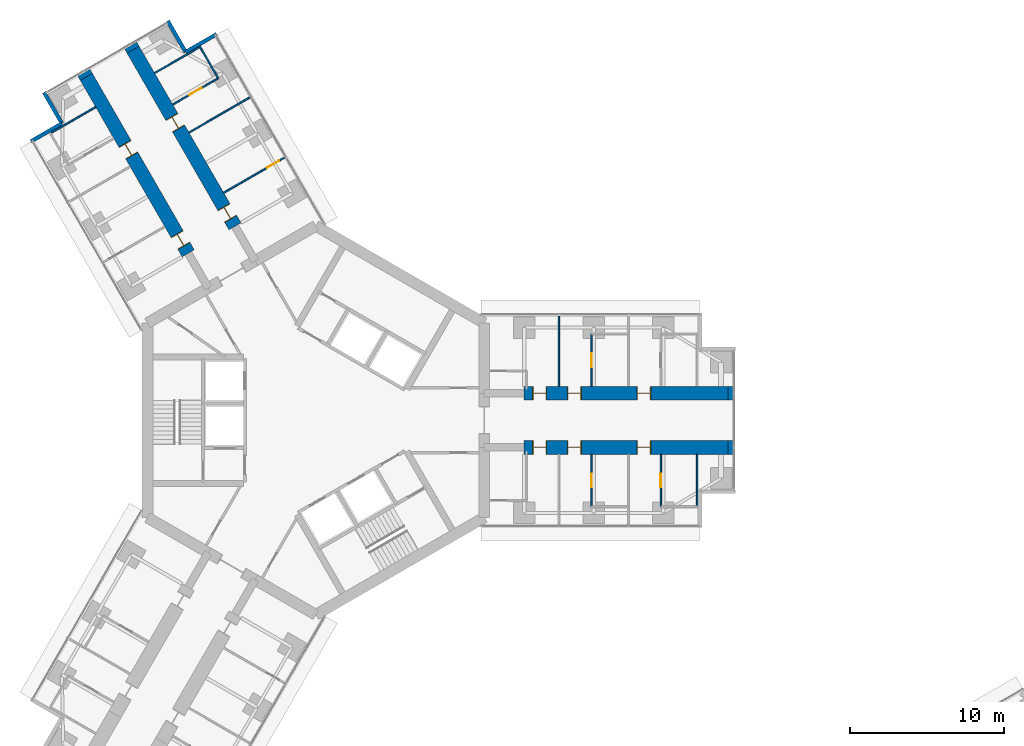
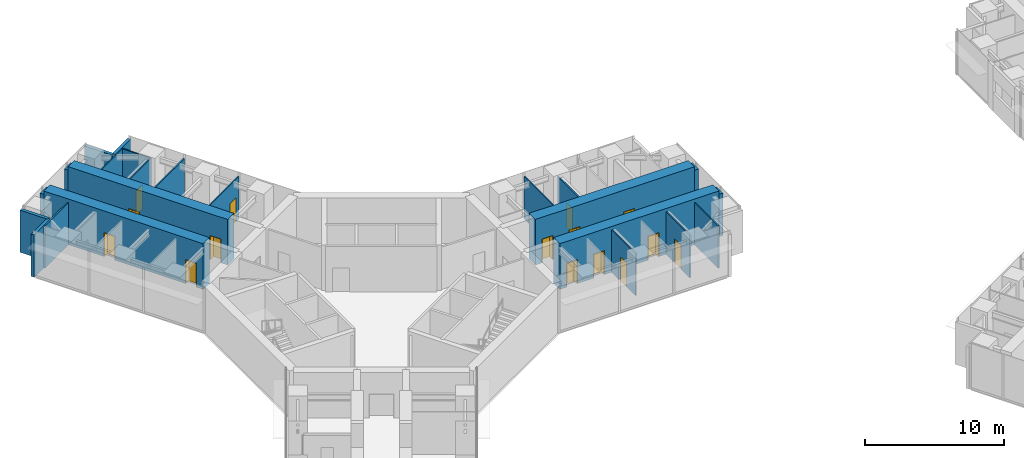
# One storey, part 19 of 25: 23 walls, 15 doors, 15 openings.
"""IFC4 building model written with IfcOpenShell, lengths in metres."""

from ifc_helpers import new_model, si_unit, direction, frame, frame_2d, origin, place, context, subcontext, project, spatial, rectangle, extrude, material, layer, layer_set, type_object, element, fill, save


model = new_model("IFC4")

# Units and contexts
model_context = context("Model", 3, precision=1e-05, world=origin(), true_north=direction((0.0, 1.0)))
body_context = subcontext(model_context, "Body", "Model", "MODEL_VIEW")
ifc_project = project(units=[si_unit("LENGTHUNIT", "METRE"), si_unit("AREAUNIT", "SQUARE_METRE"), si_unit("VOLUMEUNIT", "CUBIC_METRE"), si_unit("PLANEANGLEUNIT", "RADIAN"), si_unit("MASSUNIT", "GRAM", prefix="KILO")], contexts=[model_context])

# Site, building, storey
site_placement = place(None, origin())
site = spatial("IfcSite", under=ifc_project, at=site_placement, CompositionType="ELEMENT")
building_placement = place(site_placement, origin())
building = spatial("IfcBuilding", under=site, at=building_placement, Name="Upepo Twin Towers", CompositionType="ELEMENT")
storey_placement = place(building_placement, frame((0.0, 0.0, 88.5)))
storey = spatial("IfcBuildingStorey", under=building, at=storey_placement, Name="L21", CompositionType="ELEMENT", Elevation=88.5)

# Walls
ifc_material_1 = material(Name="Dense concrete blockwork", Category="masonry")
ifc_layer_1 = layer(ifc_material_1, 0.89990234375)
ifc_layer_set_1 = layer_set([ifc_layer_1], Name="Buttress closer 900, blockwork with fire-stopping to the curtain wall")
wall_type_1 = type_object("IfcWallType", Name="Buttress closer 900, blockwork with fire-stopping to the curtain wall", PredefinedType="PARTITIONING", material=ifc_layer_set_1)
for number, where, z_axis, x_axis, name in (
    (1, (26.699951171875, 1.75, 0.0), (0.0, 0.0, 1.0), (1.0, 0.0, 0.0), "T1 L21 wing A buttress closer L"),
    (2, (26.699951171875, -1.75, 0.0), (0.0, 0.0, 1.0), (1.0, 0.0, 0.0), "T1 L21 wing A buttress closer R"),
    (3, (-14.865478515625, 22.247802734375, 0.0), (0.0, 0.0, 1.0), (-0.499949632511, 0.866054481515, 0.0), "T1 L21 wing B buttress closer L"),
    (4, (-11.83447265625, 23.997802734375, 0.0), (0.0, 0.0, 1.0), (-0.499949632511, 0.866054481515, 0.0), "T1 L21 wing B buttress closer R"),
):
    element("IfcWall", number, at=place(storey_placement, frame(where, z_axis=z_axis, x_axis=x_axis)), inside=storey, type_object=wall_type_1, Name=name, PredefinedType="PARTITIONING", context=body_context, shape_type="SweptSolid", body=[
        extrude(rectangle(XDim=0.31005859375, YDim=0.89990234375, at=frame_2d((0.155029296875, 0.0))), origin(), (0.0, 0.0, 1.0), 3.699951171875),
    ])

# Wall, openings, doors
ifc_material_2 = material(Name="Concrete C60/75", Category="concrete")
ifc_layer_2 = layer(ifc_material_2, 0.89990234375)
ifc_layer_set_2 = layer_set([ifc_layer_2], Name="Concrete C60/75")
wall_type_2 = type_object("IfcWallType", Name="Buttress wall 900 RC", PredefinedType="SHEAR", material=ifc_layer_set_2)
wall_1_placement = place(storey_placement, frame((13.5, 1.75, 0.0), z_axis=(0.0, 0.0, 1.0), x_axis=(1.0, 0.0, 0.0)))
wall_1 = element("IfcWall", 5, at=wall_1_placement, inside=storey, type_object=wall_type_2, Name="T1 wing A buttress wall L part 2", PredefinedType="SHEAR", context=body_context, shape_type="SweptSolid", body=[
    extrude(rectangle(XDim=13.199951171875, YDim=0.89990234375, at=frame_2d((6.60009765625, 0.0))), origin(), (0.0, 0.0, 1.0), 4.0),
])
opening_1_placement = place(wall_1_placement, frame((0.550048828125, 0.0, 0.0)))
opening_1 = element("IfcOpeningElement", 6, at=opening_1_placement, cuts=wall_1, Name="Opening D11", PredefinedType="OPENING", context=body_context, shape_type="SweptSolid", body=[
    extrude(rectangle(XDim=0.89990234375, YDim=2.10009765625, at=frame_2d((0.449951171875, 1.050048828125))), frame((0.0, 0.4599609375, 0.0), z_axis=(0.0, -1.0, 0.0), x_axis=(1.0, 0.0, 0.0)), (0.0, 0.0, 1.0), 0.919921875),
])
opening_2_placement = place(wall_1_placement, frame((2.800048828125, 0.0, 0.0)))
opening_2 = element("IfcOpeningElement", 7, at=opening_2_placement, cuts=wall_1, Name="Opening D14", PredefinedType="OPENING", context=body_context, shape_type="SweptSolid", body=[
    extrude(rectangle(XDim=0.89990234375, YDim=2.10009765625, at=frame_2d((0.449951171875, 1.050048828125))), frame((0.0, 0.4599609375, 0.0), z_axis=(0.0, -1.0, 0.0), x_axis=(1.0, 0.0, 0.0)), (0.0, 0.0, 1.0), 0.919921875),
])
opening_3_placement = place(wall_1_placement, frame((7.300048828125, 0.0, 0.0)))
opening_3 = element("IfcOpeningElement", 8, at=opening_3_placement, cuts=wall_1, Name="Opening D14", PredefinedType="OPENING", context=body_context, shape_type="SweptSolid", body=[
    extrude(rectangle(XDim=0.89990234375, YDim=2.10009765625, at=frame_2d((0.449951171875, 1.050048828125))), frame((0.0, 0.4599609375, 0.0), z_axis=(0.0, -1.0, 0.0), x_axis=(1.0, 0.0, 0.0)), (0.0, 0.0, 1.0), 0.919921875),
])
ifc_material_3 = material(Name="Timber doorset", Category="wood")
door_type_1 = type_object("IfcDoorType", Name="Office door 900 FD30", OperationType="SINGLE_SWING_LEFT", PredefinedType="DOOR", material=ifc_material_3)
door_1_placement = place(opening_2_placement, origin())
door_1 = element("IfcDoor", 9, at=door_1_placement, inside=storey, type_object=door_type_1, Name="T1 L21 staff office door", OperationType="SINGLE_SWING_LEFT", OverallHeight=2.10009765625, OverallWidth=0.89990234375, PredefinedType="DOOR", context=body_context, shape_type="SweptSolid", body=[
    extrude(rectangle(XDim=0.81990234375, YDim=2.06009765625, at=frame_2d((0.449951171875, 1.030029296875))), frame((0.0, 0.02490234375, 0.0), z_axis=(0.0, -1.0, 0.0), x_axis=(1.0, 0.0, 0.0)), (0.0, 0.0, 1.0), 0.050048828125),
    extrude(rectangle(XDim=0.04, YDim=2.10009765625, at=frame_2d((0.02001953125, 1.050048828125))), frame((0.0, 0.44970703125, 0.0), z_axis=(0.0, -1.0, 0.0), x_axis=(1.0, 0.0, 0.0)), (0.0, 0.0, 1.0), 0.8994140625),
    extrude(rectangle(XDim=0.04, YDim=2.10009765625, at=frame_2d((0.8798828125, 1.050048828125))), frame((0.0, 0.44970703125, 0.0), z_axis=(0.0, -1.0, 0.0), x_axis=(1.0, 0.0, 0.0)), (0.0, 0.0, 1.0), 0.8994140625),
    extrude(rectangle(XDim=0.81990234375, YDim=0.04, at=frame_2d((0.449951171875, 2.080078125))), frame((0.0, 0.44970703125, 0.0), z_axis=(0.0, -1.0, 0.0), x_axis=(1.0, 0.0, 0.0)), (0.0, 0.0, 1.0), 0.8994140625),
])
fill(opening_2, door_1)
door_2_placement = place(opening_3_placement, origin())
door_2 = element("IfcDoor", 10, at=door_2_placement, inside=storey, type_object=door_type_1, Name="T1 L21 postgraduate office door", OperationType="SINGLE_SWING_RIGHT", OverallHeight=2.10009765625, OverallWidth=0.89990234375, PredefinedType="DOOR", context=body_context, shape_type="SweptSolid", body=[
    extrude(rectangle(XDim=0.81990234375, YDim=2.06009765625, at=frame_2d((0.449951171875, 1.030029296875))), frame((0.0, 0.02490234375, 0.0), z_axis=(0.0, -1.0, 0.0), x_axis=(1.0, 0.0, 0.0)), (0.0, 0.0, 1.0), 0.050048828125),
    extrude(rectangle(XDim=0.04, YDim=2.10009765625, at=frame_2d((0.02001953125, 1.050048828125))), frame((0.0, 0.44970703125, 0.0), z_axis=(0.0, -1.0, 0.0), x_axis=(1.0, 0.0, 0.0)), (0.0, 0.0, 1.0), 0.8994140625),
    extrude(rectangle(XDim=0.04, YDim=2.10009765625, at=frame_2d((0.8798828125, 1.050048828125))), frame((0.0, 0.44970703125, 0.0), z_axis=(0.0, -1.0, 0.0), x_axis=(1.0, 0.0, 0.0)), (0.0, 0.0, 1.0), 0.8994140625),
    extrude(rectangle(XDim=0.81990234375, YDim=0.04, at=frame_2d((0.449951171875, 2.080078125))), frame((0.0, 0.44970703125, 0.0), z_axis=(0.0, -1.0, 0.0), x_axis=(1.0, 0.0, 0.0)), (0.0, 0.0, 1.0), 0.8994140625),
])
fill(opening_3, door_2)
ifc_material_4 = material(Name="Timber doorset", Category="wood")
door_type_2 = type_object("IfcDoorType", Name="Toilet door 900", OperationType="SINGLE_SWING_LEFT", PredefinedType="DOOR", material=ifc_material_4)
door_3_placement = place(opening_1_placement, origin())
door_3 = element("IfcDoor", 11, at=door_3_placement, inside=storey, type_object=door_type_2, Name="T1 L21 toilets door", OperationType="SINGLE_SWING_LEFT", OverallHeight=2.10009765625, OverallWidth=0.89990234375, PredefinedType="DOOR", context=body_context, shape_type="SweptSolid", body=[
    extrude(rectangle(XDim=0.81990234375, YDim=2.06009765625, at=frame_2d((0.449951171875, 1.030029296875))), frame((0.0, 0.02490234375, 0.0), z_axis=(0.0, -1.0, 0.0), x_axis=(1.0, 0.0, 0.0)), (0.0, 0.0, 1.0), 0.050048828125),
    extrude(rectangle(XDim=0.04, YDim=2.10009765625, at=frame_2d((0.02001953125, 1.050048828125))), frame((0.0, 0.44970703125, 0.0), z_axis=(0.0, -1.0, 0.0), x_axis=(1.0, 0.0, 0.0)), (0.0, 0.0, 1.0), 0.8994140625),
    extrude(rectangle(XDim=0.04, YDim=2.10009765625, at=frame_2d((0.8798828125, 1.050048828125))), frame((0.0, 0.44970703125, 0.0), z_axis=(0.0, -1.0, 0.0), x_axis=(1.0, 0.0, 0.0)), (0.0, 0.0, 1.0), 0.8994140625),
    extrude(rectangle(XDim=0.81990234375, YDim=0.04, at=frame_2d((0.449951171875, 2.080078125))), frame((0.0, 0.44970703125, 0.0), z_axis=(0.0, -1.0, 0.0), x_axis=(1.0, 0.0, 0.0)), (0.0, 0.0, 1.0), 0.8994140625),
])
fill(opening_1, door_3)

wall_2_placement = place(storey_placement, frame((13.5, -1.75, 0.0), z_axis=(0.0, 0.0, 1.0), x_axis=(1.0, 0.0, 0.0)))
wall_2 = element("IfcWall", 12, at=wall_2_placement, inside=storey, type_object=wall_type_2, Name="T1 wing A buttress wall R part 2", PredefinedType="SHEAR", context=body_context, shape_type="SweptSolid", body=[
    extrude(rectangle(XDim=13.199951171875, YDim=0.89990234375, at=frame_2d((6.60009765625, 0.0))), origin(), (0.0, 0.0, 1.0), 4.0),
])
opening_4_placement = place(wall_2_placement, frame((0.550048828125, 0.0, 0.0)))
opening_4 = element("IfcOpeningElement", 13, at=opening_4_placement, cuts=wall_2, Name="Opening D11", PredefinedType="OPENING", context=body_context, shape_type="SweptSolid", body=[
    extrude(rectangle(XDim=0.89990234375, YDim=2.10009765625, at=frame_2d((0.449951171875, 1.050048828125))), frame((0.0, 0.4599609375, 0.0), z_axis=(0.0, -1.0, 0.0), x_axis=(1.0, 0.0, 0.0)), (0.0, 0.0, 1.0), 0.919921875),
])
opening_5_placement = place(wall_2_placement, frame((2.800048828125, 0.0, 0.0)))
opening_5 = element("IfcOpeningElement", 14, at=opening_5_placement, cuts=wall_2, Name="Opening D14", PredefinedType="OPENING", context=body_context, shape_type="SweptSolid", body=[
    extrude(rectangle(XDim=0.89990234375, YDim=2.10009765625, at=frame_2d((0.449951171875, 1.050048828125))), frame((0.0, 0.4599609375, 0.0), z_axis=(0.0, -1.0, 0.0), x_axis=(1.0, 0.0, 0.0)), (0.0, 0.0, 1.0), 0.919921875),
])
opening_6_placement = place(wall_2_placement, frame((7.300048828125, 0.0, 0.0)))
opening_6 = element("IfcOpeningElement", 15, at=opening_6_placement, cuts=wall_2, Name="Opening D14", PredefinedType="OPENING", context=body_context, shape_type="SweptSolid", body=[
    extrude(rectangle(XDim=0.89990234375, YDim=2.10009765625, at=frame_2d((0.449951171875, 1.050048828125))), frame((0.0, 0.4599609375, 0.0), z_axis=(0.0, -1.0, 0.0), x_axis=(1.0, 0.0, 0.0)), (0.0, 0.0, 1.0), 0.919921875),
])
door_4_placement = place(opening_5_placement, origin())
door_4 = element("IfcDoor", 16, at=door_4_placement, inside=storey, type_object=door_type_1, Name="T1 L21 meeting room door", OperationType="SINGLE_SWING_LEFT", OverallHeight=2.10009765625, OverallWidth=0.89990234375, PredefinedType="DOOR", context=body_context, shape_type="SweptSolid", body=[
    extrude(rectangle(XDim=0.81990234375, YDim=2.06009765625, at=frame_2d((0.449951171875, 1.030029296875))), frame((0.0, 0.02490234375, 0.0), z_axis=(0.0, -1.0, 0.0), x_axis=(1.0, 0.0, 0.0)), (0.0, 0.0, 1.0), 0.050048828125),
    extrude(rectangle(XDim=0.04, YDim=2.10009765625, at=frame_2d((0.02001953125, 1.050048828125))), frame((0.0, 0.44970703125, 0.0), z_axis=(0.0, -1.0, 0.0), x_axis=(1.0, 0.0, 0.0)), (0.0, 0.0, 1.0), 0.8994140625),
    extrude(rectangle(XDim=0.04, YDim=2.10009765625, at=frame_2d((0.8798828125, 1.050048828125))), frame((0.0, 0.44970703125, 0.0), z_axis=(0.0, -1.0, 0.0), x_axis=(1.0, 0.0, 0.0)), (0.0, 0.0, 1.0), 0.8994140625),
    extrude(rectangle(XDim=0.81990234375, YDim=0.04, at=frame_2d((0.449951171875, 2.080078125))), frame((0.0, 0.44970703125, 0.0), z_axis=(0.0, -1.0, 0.0), x_axis=(1.0, 0.0, 0.0)), (0.0, 0.0, 1.0), 0.8994140625),
])
fill(opening_5, door_4)
door_5_placement = place(opening_6_placement, origin())
door_5 = element("IfcDoor", 17, at=door_5_placement, inside=storey, type_object=door_type_1, Name="T1 L21 staff office door", OperationType="SINGLE_SWING_RIGHT", OverallHeight=2.10009765625, OverallWidth=0.89990234375, PredefinedType="DOOR", context=body_context, shape_type="SweptSolid", body=[
    extrude(rectangle(XDim=0.81990234375, YDim=2.06009765625, at=frame_2d((0.449951171875, 1.030029296875))), frame((0.0, 0.02490234375, 0.0), z_axis=(0.0, -1.0, 0.0), x_axis=(1.0, 0.0, 0.0)), (0.0, 0.0, 1.0), 0.050048828125),
    extrude(rectangle(XDim=0.04, YDim=2.10009765625, at=frame_2d((0.02001953125, 1.050048828125))), frame((0.0, 0.44970703125, 0.0), z_axis=(0.0, -1.0, 0.0), x_axis=(1.0, 0.0, 0.0)), (0.0, 0.0, 1.0), 0.8994140625),
    extrude(rectangle(XDim=0.04, YDim=2.10009765625, at=frame_2d((0.8798828125, 1.050048828125))), frame((0.0, 0.44970703125, 0.0), z_axis=(0.0, -1.0, 0.0), x_axis=(1.0, 0.0, 0.0)), (0.0, 0.0, 1.0), 0.8994140625),
    extrude(rectangle(XDim=0.81990234375, YDim=0.04, at=frame_2d((0.449951171875, 2.080078125))), frame((0.0, 0.44970703125, 0.0), z_axis=(0.0, -1.0, 0.0), x_axis=(1.0, 0.0, 0.0)), (0.0, 0.0, 1.0), 0.8994140625),
])
fill(opening_6, door_5)
door_6_placement = place(opening_4_placement, origin())
door_6 = element("IfcDoor", 18, at=door_6_placement, inside=storey, type_object=door_type_2, Name="T1 L21 accessible wc door", OperationType="SINGLE_SWING_LEFT", OverallHeight=2.10009765625, OverallWidth=0.89990234375, PredefinedType="DOOR", context=body_context, shape_type="SweptSolid", body=[
    extrude(rectangle(XDim=0.81990234375, YDim=2.06009765625, at=frame_2d((0.449951171875, 1.030029296875))), frame((0.0, 0.02490234375, 0.0), z_axis=(0.0, -1.0, 0.0), x_axis=(1.0, 0.0, 0.0)), (0.0, 0.0, 1.0), 0.050048828125),
    extrude(rectangle(XDim=0.04, YDim=2.10009765625, at=frame_2d((0.02001953125, 1.050048828125))), frame((0.0, 0.44970703125, 0.0), z_axis=(0.0, -1.0, 0.0), x_axis=(1.0, 0.0, 0.0)), (0.0, 0.0, 1.0), 0.8994140625),
    extrude(rectangle(XDim=0.04, YDim=2.10009765625, at=frame_2d((0.8798828125, 1.050048828125))), frame((0.0, 0.44970703125, 0.0), z_axis=(0.0, -1.0, 0.0), x_axis=(1.0, 0.0, 0.0)), (0.0, 0.0, 1.0), 0.8994140625),
    extrude(rectangle(XDim=0.81990234375, YDim=0.04, at=frame_2d((0.449951171875, 2.080078125))), frame((0.0, 0.44970703125, 0.0), z_axis=(0.0, -1.0, 0.0), x_axis=(1.0, 0.0, 0.0)), (0.0, 0.0, 1.0), 0.8994140625),
])
fill(opening_4, door_6)

wall_3_placement = place(storey_placement, frame((-8.265625, 10.81640625, 0.0), z_axis=(0.0, 0.0, 1.0), x_axis=(-0.499996231654, 0.866027579429, 0.0)))
wall_3 = element("IfcWall", 19, at=wall_3_placement, inside=storey, type_object=wall_type_2, Name="T1 wing B buttress wall L part 2", PredefinedType="SHEAR", context=body_context, shape_type="SweptSolid", body=[
    extrude(rectangle(XDim=13.19970703125, YDim=0.89990234375, at=frame_2d((6.599853515625, 0.0))), origin(), (0.0, 0.0, 1.0), 4.0),
])
opening_7_placement = place(wall_3_placement, frame((0.550048828125, 0.0, 0.0)))
opening_7 = element("IfcOpeningElement", 20, at=opening_7_placement, cuts=wall_3, Name="Opening D14", PredefinedType="OPENING", context=body_context, shape_type="SweptSolid", body=[
    extrude(rectangle(XDim=0.89990234375, YDim=2.10009765625, at=frame_2d((0.449951171875, 1.050048828125))), frame((0.0, 0.4599609375, 0.0), z_axis=(0.0, -1.0, 0.0), x_axis=(1.0, 0.0, 0.0)), (0.0, 0.0, 1.0), 0.919921875),
])
opening_8_placement = place(wall_3_placement, frame((7.300048828125, 0.0, 0.0)))
opening_8 = element("IfcOpeningElement", 21, at=opening_8_placement, cuts=wall_3, Name="Opening D14", PredefinedType="OPENING", context=body_context, shape_type="SweptSolid", body=[
    extrude(rectangle(XDim=0.89990234375, YDim=2.10009765625, at=frame_2d((0.449951171875, 1.050048828125))), frame((0.0, 0.4599609375, 0.0), z_axis=(0.0, -1.0, 0.0), x_axis=(1.0, 0.0, 0.0)), (0.0, 0.0, 1.0), 0.919921875),
])
door_7_placement = place(opening_7_placement, origin())
door_7 = element("IfcDoor", 22, at=door_7_placement, inside=storey, type_object=door_type_1, Name="T1 L21 staff office door", OperationType="SINGLE_SWING_LEFT", OverallHeight=2.10009765625, OverallWidth=0.89990234375, PredefinedType="DOOR", context=body_context, shape_type="SweptSolid", body=[
    extrude(rectangle(XDim=0.81990234375, YDim=2.06009765625, at=frame_2d((0.449951171875, 1.030029296875))), frame((0.0, 0.02490234375, 0.0), z_axis=(0.0, -1.0, 0.0), x_axis=(1.0, 0.0, 0.0)), (0.0, 0.0, 1.0), 0.050048828125),
    extrude(rectangle(XDim=0.04, YDim=2.10009765625, at=frame_2d((0.02001953125, 1.050048828125))), frame((0.0, 0.44970703125, 0.0), z_axis=(0.0, -1.0, 0.0), x_axis=(1.0, 0.0, 0.0)), (0.0, 0.0, 1.0), 0.8994140625),
    extrude(rectangle(XDim=0.04, YDim=2.10009765625, at=frame_2d((0.8798828125, 1.050048828125))), frame((0.0, 0.44970703125, 0.0), z_axis=(0.0, -1.0, 0.0), x_axis=(1.0, 0.0, 0.0)), (0.0, 0.0, 1.0), 0.8994140625),
    extrude(rectangle(XDim=0.81990234375, YDim=0.04, at=frame_2d((0.449951171875, 2.080078125))), frame((0.0, 0.44970703125, 0.0), z_axis=(0.0, -1.0, 0.0), x_axis=(1.0, 0.0, 0.0)), (0.0, 0.0, 1.0), 0.8994140625),
])
fill(opening_7, door_7)
door_8_placement = place(opening_8_placement, origin())
door_8 = element("IfcDoor", 23, at=door_8_placement, inside=storey, type_object=door_type_1, Name="T1 L21 meeting room door", OperationType="SINGLE_SWING_RIGHT", OverallHeight=2.10009765625, OverallWidth=0.89990234375, PredefinedType="DOOR", context=body_context, shape_type="SweptSolid", body=[
    extrude(rectangle(XDim=0.81990234375, YDim=2.06009765625, at=frame_2d((0.449951171875, 1.030029296875))), frame((0.0, 0.02490234375, 0.0), z_axis=(0.0, -1.0, 0.0), x_axis=(1.0, 0.0, 0.0)), (0.0, 0.0, 1.0), 0.050048828125),
    extrude(rectangle(XDim=0.04, YDim=2.10009765625, at=frame_2d((0.02001953125, 1.050048828125))), frame((0.0, 0.44970703125, 0.0), z_axis=(0.0, -1.0, 0.0), x_axis=(1.0, 0.0, 0.0)), (0.0, 0.0, 1.0), 0.8994140625),
    extrude(rectangle(XDim=0.04, YDim=2.10009765625, at=frame_2d((0.8798828125, 1.050048828125))), frame((0.0, 0.44970703125, 0.0), z_axis=(0.0, -1.0, 0.0), x_axis=(1.0, 0.0, 0.0)), (0.0, 0.0, 1.0), 0.8994140625),
    extrude(rectangle(XDim=0.81990234375, YDim=0.04, at=frame_2d((0.449951171875, 2.080078125))), frame((0.0, 0.44970703125, 0.0), z_axis=(0.0, -1.0, 0.0), x_axis=(1.0, 0.0, 0.0)), (0.0, 0.0, 1.0), 0.8994140625),
])
fill(opening_8, door_8)

wall_4_placement = place(storey_placement, frame((-5.234375, 12.56640625, 0.0), z_axis=(0.0, 0.0, 1.0), x_axis=(-0.500010103361, 0.866019570528, 0.0)))
wall_4 = element("IfcWall", 24, at=wall_4_placement, inside=storey, type_object=wall_type_2, Name="T1 wing B buttress wall R part 2", PredefinedType="SHEAR", context=body_context, shape_type="SweptSolid", body=[
    extrude(rectangle(XDim=13.199951171875, YDim=0.89990234375, at=frame_2d((6.60009765625, 0.0))), origin(), (0.0, 0.0, 1.0), 4.0),
])
opening_9_placement = place(wall_4_placement, frame((0.550048828125, 0.0, 0.0)))
opening_9 = element("IfcOpeningElement", 25, at=opening_9_placement, cuts=wall_4, Name="Opening D14", PredefinedType="OPENING", context=body_context, shape_type="SweptSolid", body=[
    extrude(rectangle(XDim=0.89990234375, YDim=2.10009765625, at=frame_2d((0.449951171875, 1.050048828125))), frame((0.0, 0.4599609375, 0.0), z_axis=(0.0, -1.0, 0.0), x_axis=(1.0, 0.0, 0.0)), (0.0, 0.0, 1.0), 0.919921875),
])
opening_10_placement = place(wall_4_placement, frame((7.300048828125, 0.0, 0.0)))
opening_10 = element("IfcOpeningElement", 26, at=opening_10_placement, cuts=wall_4, Name="Opening D14", PredefinedType="OPENING", context=body_context, shape_type="SweptSolid", body=[
    extrude(rectangle(XDim=0.89990234375, YDim=2.10009765625, at=frame_2d((0.449951171875, 1.050048828125))), frame((0.0, 0.4599609375, 0.0), z_axis=(0.0, -1.0, 0.0), x_axis=(1.0, 0.0, 0.0)), (0.0, 0.0, 1.0), 0.919921875),
])
door_9_placement = place(opening_9_placement, origin())
door_9 = element("IfcDoor", 27, at=door_9_placement, inside=storey, type_object=door_type_1, Name="T1 L21 staff office door", OperationType="SINGLE_SWING_LEFT", OverallHeight=2.10009765625, OverallWidth=0.89990234375, PredefinedType="DOOR", context=body_context, shape_type="SweptSolid", body=[
    extrude(rectangle(XDim=0.81990234375, YDim=2.06009765625, at=frame_2d((0.449951171875, 1.030029296875))), frame((0.0, 0.02490234375, 0.0), z_axis=(0.0, -1.0, 0.0), x_axis=(1.0, 0.0, 0.0)), (0.0, 0.0, 1.0), 0.050048828125),
    extrude(rectangle(XDim=0.04, YDim=2.10009765625, at=frame_2d((0.02001953125, 1.050048828125))), frame((0.0, 0.44970703125, 0.0), z_axis=(0.0, -1.0, 0.0), x_axis=(1.0, 0.0, 0.0)), (0.0, 0.0, 1.0), 0.8994140625),
    extrude(rectangle(XDim=0.04, YDim=2.10009765625, at=frame_2d((0.8798828125, 1.050048828125))), frame((0.0, 0.44970703125, 0.0), z_axis=(0.0, -1.0, 0.0), x_axis=(1.0, 0.0, 0.0)), (0.0, 0.0, 1.0), 0.8994140625),
    extrude(rectangle(XDim=0.81990234375, YDim=0.04, at=frame_2d((0.449951171875, 2.080078125))), frame((0.0, 0.44970703125, 0.0), z_axis=(0.0, -1.0, 0.0), x_axis=(1.0, 0.0, 0.0)), (0.0, 0.0, 1.0), 0.8994140625),
])
fill(opening_9, door_9)
door_10_placement = place(opening_10_placement, origin())
door_10 = element("IfcDoor", 28, at=door_10_placement, inside=storey, type_object=door_type_1, Name="T1 L21 postgraduate office door", OperationType="SINGLE_SWING_RIGHT", OverallHeight=2.10009765625, OverallWidth=0.89990234375, PredefinedType="DOOR", context=body_context, shape_type="SweptSolid", body=[
    extrude(rectangle(XDim=0.81990234375, YDim=2.06009765625, at=frame_2d((0.449951171875, 1.030029296875))), frame((0.0, 0.02490234375, 0.0), z_axis=(0.0, -1.0, 0.0), x_axis=(1.0, 0.0, 0.0)), (0.0, 0.0, 1.0), 0.050048828125),
    extrude(rectangle(XDim=0.04, YDim=2.10009765625, at=frame_2d((0.02001953125, 1.050048828125))), frame((0.0, 0.44970703125, 0.0), z_axis=(0.0, -1.0, 0.0), x_axis=(1.0, 0.0, 0.0)), (0.0, 0.0, 1.0), 0.8994140625),
    extrude(rectangle(XDim=0.04, YDim=2.10009765625, at=frame_2d((0.8798828125, 1.050048828125))), frame((0.0, 0.44970703125, 0.0), z_axis=(0.0, -1.0, 0.0), x_axis=(1.0, 0.0, 0.0)), (0.0, 0.0, 1.0), 0.8994140625),
    extrude(rectangle(XDim=0.81990234375, YDim=0.04, at=frame_2d((0.449951171875, 2.080078125))), frame((0.0, 0.44970703125, 0.0), z_axis=(0.0, -1.0, 0.0), x_axis=(1.0, 0.0, 0.0)), (0.0, 0.0, 1.0), 0.8994140625),
])
fill(opening_10, door_10)

# Walls
ifc_material_5 = material(Name="Blockwork with anodised aluminium cladding", Category="masonry")
ifc_layer_3 = layer(ifc_material_5, 0.25)
ifc_layer_set_3 = layer_set([ifc_layer_3], Name="Notch cladding wall 250, pale metal")
wall_type_3 = type_object("IfcWallType", Name="Notch cladding wall 250, pale metal", PredefinedType="STANDARD", material=ifc_layer_set_3)
for number, where, z_axis, x_axis, name in (
    (29, (-18.456298828125, 18.0673828125, 0.0), (0.0, 0.0, 1.0), (0.865998469481, 0.500046648681, 0.0), "T1 L21 wing B notch wall L1"),
    (30, (-16.44287109375, 19.22998046875, 0.0), (0.0, 0.0, 1.0), (-0.500046648681, 0.865998469481, 0.0), "T1 L21 wing B notch wall L2"),
    (31, (-6.418701171875, 25.017333984375, 0.0), (0.0, 0.0, 1.0), (-0.866043940782, -0.499967891604, 0.0), "T1 L21 wing B notch wall R1"),
    (32, (-8.43212890625, 23.85498046875, 0.0), (0.0, 0.0, 1.0), (-0.500046648681, 0.865998469481, 0.0), "T1 L21 wing B notch wall R2"),
):
    element("IfcWall", number, at=place(storey_placement, frame(where, z_axis=z_axis, x_axis=x_axis)), inside=storey, type_object=wall_type_3, Name=name, PredefinedType="STANDARD", context=body_context, shape_type="SweptSolid", body=[
        extrude(rectangle(XDim=2.324951171875, YDim=0.25, at=frame_2d((1.16259765625, 0.0))), origin(), (0.0, 0.0, 1.0), 3.699951171875),
    ])
ifc_material_6 = material(Name="Gypsum board on steel studs", Category="steel")
ifc_layer_4 = layer(ifc_material_6, 0.10009765625)
ifc_layer_set_4 = layer_set([ifc_layer_4], Name="Office partition 100 stud")
wall_type_4 = type_object("IfcWallType", Name="Office partition 100 stud", PredefinedType="PARTITIONING", material=ifc_layer_set_4)
wall_5_placement = place(storey_placement, frame((15.75, 2.199951171875, 0.0), z_axis=(0.0, 0.0, 1.0), x_axis=(0.0, 1.0, 0.0)))
element("IfcWall", 33, at=wall_5_placement, inside=storey, type_object=wall_type_4, Name="T1 partition AL at 15.75", PredefinedType="PARTITIONING", context=body_context, shape_type="SweptSolid", body=[
    extrude(rectangle(XDim=4.550048828125, YDim=0.10009765625, at=frame_2d((2.27490234375, 0.0))), origin(), (0.0, 0.0, 1.0), 3.699951171875),
])

# Wall, opening, door
wall_6_placement = place(storey_placement, frame((17.85009765625, 2.199951171875, 0.0), z_axis=(0.0, 0.0, 1.0), x_axis=(0.0, 1.0, 0.0)))
wall_6 = element("IfcWall", 34, at=wall_6_placement, inside=storey, type_object=wall_type_4, Name="T1 inner room partition AL end at 17.85", PredefinedType="PARTITIONING", context=body_context, shape_type="SweptSolid", body=[
    extrude(rectangle(XDim=3.400146484375, YDim=0.10009765625, at=frame_2d((1.7001953125, 0.0))), origin(), (0.0, 0.0, 1.0), 3.699951171875),
])
opening_11_placement = place(wall_6_placement, frame((1.25, 0.0, 0.0)))
opening_11 = element("IfcOpeningElement", 35, at=opening_11_placement, cuts=wall_6, Name="Opening D14", PredefinedType="OPENING", context=body_context, shape_type="SweptSolid", body=[
    extrude(rectangle(XDim=0.89990234375, YDim=2.10009765625, at=frame_2d((0.449951171875, 1.050048828125))), frame((0.0, 0.06005859375, 0.0), z_axis=(0.0, -1.0, 0.0), x_axis=(1.0, 0.0, 0.0)), (0.0, 0.0, 1.0), 0.1201171875),
])
door_11_placement = place(opening_11_placement, origin())
door_11 = element("IfcDoor", 36, at=door_11_placement, inside=storey, type_object=door_type_1, Name="T1 L21 inner room door", OperationType="SINGLE_SWING_LEFT", OverallHeight=2.10009765625, OverallWidth=0.89990234375, PredefinedType="DOOR", context=body_context, shape_type="SweptSolid", body=[
    extrude(rectangle(XDim=0.89990234375, YDim=2.10009765625, at=frame_2d((0.449951171875, 1.050048828125))), frame((0.0, 0.02490234375, 0.0), z_axis=(0.0, -1.0, 0.0), x_axis=(1.0, 0.0, 0.0)), (0.0, 0.0, 1.0), 0.050048828125),
])
fill(opening_11, door_11)

wall_7_placement = place(storey_placement, frame((17.85009765625, -2.199951171875, 0.0), z_axis=(0.0, 0.0, 1.0), x_axis=(0.0, -1.0, 0.0)))
wall_7 = element("IfcWall", 37, at=wall_7_placement, inside=storey, type_object=wall_type_4, Name="T1 inner room partition AR end at 17.85", PredefinedType="PARTITIONING", context=body_context, shape_type="SweptSolid", body=[
    extrude(rectangle(XDim=3.400146484375, YDim=0.10009765625, at=frame_2d((1.7001953125, 0.0))), origin(), (0.0, 0.0, 1.0), 3.699951171875),
])
opening_12_placement = place(wall_7_placement, frame((1.25, 0.0, 0.0)))
opening_12 = element("IfcOpeningElement", 38, at=opening_12_placement, cuts=wall_7, Name="Opening D14", PredefinedType="OPENING", context=body_context, shape_type="SweptSolid", body=[
    extrude(rectangle(XDim=0.89990234375, YDim=2.10009765625, at=frame_2d((0.449951171875, 1.050048828125))), frame((0.0, 0.06005859375, 0.0), z_axis=(0.0, -1.0, 0.0), x_axis=(1.0, 0.0, 0.0)), (0.0, 0.0, 1.0), 0.1201171875),
])
door_12_placement = place(opening_12_placement, origin())
door_12 = element("IfcDoor", 39, at=door_12_placement, inside=storey, type_object=door_type_1, Name="T1 L21 inner room door", OperationType="SINGLE_SWING_LEFT", OverallHeight=2.10009765625, OverallWidth=0.89990234375, PredefinedType="DOOR", context=body_context, shape_type="SweptSolid", body=[
    extrude(rectangle(XDim=0.89990234375, YDim=2.10009765625, at=frame_2d((0.449951171875, 1.050048828125))), frame((0.0, 0.02490234375, 0.0), z_axis=(0.0, -1.0, 0.0), x_axis=(1.0, 0.0, 0.0)), (0.0, 0.0, 1.0), 0.050048828125),
])
fill(opening_12, door_12)

wall_8_placement = place(storey_placement, frame((22.35009765625, -2.199951171875, 0.0), z_axis=(0.0, 0.0, 1.0), x_axis=(0.0, -1.0, 0.0)))
wall_8 = element("IfcWall", 40, at=wall_8_placement, inside=storey, type_object=wall_type_4, Name="T1 inner room partition AR end at 22.35", PredefinedType="PARTITIONING", context=body_context, shape_type="SweptSolid", body=[
    extrude(rectangle(XDim=3.400146484375, YDim=0.10009765625, at=frame_2d((1.7001953125, 0.0))), origin(), (0.0, 0.0, 1.0), 3.699951171875),
])
opening_13_placement = place(wall_8_placement, frame((1.25, 0.0, 0.0)))
opening_13 = element("IfcOpeningElement", 41, at=opening_13_placement, cuts=wall_8, Name="Opening D14", PredefinedType="OPENING", context=body_context, shape_type="SweptSolid", body=[
    extrude(rectangle(XDim=0.89990234375, YDim=2.10009765625, at=frame_2d((0.449951171875, 1.050048828125))), frame((0.0, 0.06005859375, 0.0), z_axis=(0.0, -1.0, 0.0), x_axis=(1.0, 0.0, 0.0)), (0.0, 0.0, 1.0), 0.1201171875),
])
door_13_placement = place(opening_13_placement, origin())
door_13 = element("IfcDoor", 42, at=door_13_placement, inside=storey, type_object=door_type_1, Name="T1 L21 inner room door", OperationType="SINGLE_SWING_LEFT", OverallHeight=2.10009765625, OverallWidth=0.89990234375, PredefinedType="DOOR", context=body_context, shape_type="SweptSolid", body=[
    extrude(rectangle(XDim=0.89990234375, YDim=2.10009765625, at=frame_2d((0.449951171875, 1.050048828125))), frame((0.0, 0.02490234375, 0.0), z_axis=(0.0, -1.0, 0.0), x_axis=(1.0, 0.0, 0.0)), (0.0, 0.0, 1.0), 0.050048828125),
])
fill(opening_13, door_13)

# Walls
wall_9_placement = place(storey_placement, frame((24.699951171875, -2.199951171875, 0.0), z_axis=(0.0, 0.0, 1.0), x_axis=(0.0, -1.0, 0.0)))
element("IfcWall", 43, at=wall_9_placement, inside=storey, type_object=wall_type_4, Name="T1 inner room partition AR end at 24.75", PredefinedType="PARTITIONING", context=body_context, shape_type="SweptSolid", body=[
    extrude(rectangle(XDim=3.400146484375, YDim=0.10009765625, at=frame_2d((1.7001953125, 0.0))), origin(), (0.0, 0.0, 1.0), 3.699951171875),
])
wall_10_placement = place(storey_placement, frame((-14.25537109375, 20.290771484375, 0.0), z_axis=(0.0, 0.0, 1.0), x_axis=(-0.866020560687, -0.500008388397, 0.0)))
element("IfcWall", 44, at=wall_10_placement, inside=storey, type_object=wall_type_4, Name="T1 inner room partition BL end at 24.75", PredefinedType="PARTITIONING", context=body_context, shape_type="SweptSolid", body=[
    extrude(rectangle(XDim=3.39990234375, YDim=0.10009765625, at=frame_2d((1.699951171875, 0.0))), origin(), (0.0, 0.0, 1.0), 3.699951171875),
])

# Wall, opening, door
wall_11_placement = place(storey_placement, frame((-5.9697265625, 14.739990234375, 0.0), z_axis=(0.0, 0.0, 1.0), x_axis=(0.866035472144, 0.499982560684, 0.0)))
wall_11 = element("IfcWall", 45, at=wall_11_placement, inside=storey, type_object=wall_type_4, Name="T1 partition BR at 15.75", PredefinedType="PARTITIONING", context=body_context, shape_type="SweptSolid", body=[
    extrude(rectangle(XDim=4.550048828125, YDim=0.10009765625, at=frame_2d((2.27490234375, 0.0))), origin(), (0.0, 0.0, 1.0), 3.699951171875),
])
opening_14_placement = place(wall_11_placement, frame((3.25, 0.0, 0.0)))
opening_14 = element("IfcOpeningElement", 46, at=opening_14_placement, cuts=wall_11, Name="Opening D14", PredefinedType="OPENING", context=body_context, shape_type="SweptSolid", body=[
    extrude(rectangle(XDim=0.89990234375, YDim=2.10009765625, at=frame_2d((0.449951171875, 1.050048828125))), frame((0.0, 0.06005859375, 0.0), z_axis=(0.0, -1.0, 0.0), x_axis=(1.0, 0.0, 0.0)), (0.0, 0.0, 1.0), 0.1201171875),
])
door_14_placement = place(opening_14_placement, origin())
door_14 = element("IfcDoor", 47, at=door_14_placement, inside=storey, type_object=door_type_1, Name="T1 L21 connecting door", OperationType="SINGLE_SWING_RIGHT", OverallHeight=2.10009765625, OverallWidth=0.89990234375, PredefinedType="DOOR", context=body_context, shape_type="SweptSolid", body=[
    extrude(rectangle(XDim=0.89990234375, YDim=2.10009765625, at=frame_2d((0.449951171875, 1.050048828125))), frame((0.0, 0.02490234375, 0.0), z_axis=(0.0, -1.0, 0.0), x_axis=(1.0, 0.0, 0.0)), (0.0, 0.0, 1.0), 0.050048828125),
])
fill(opening_14, door_14)

# Walls
wall_12_placement = place(storey_placement, frame((-8.2197265625, 18.636962890625, 0.0), z_axis=(0.0, 0.0, 1.0), x_axis=(0.866012237902, 0.500022803284, 0.0)))
element("IfcWall", 48, at=wall_12_placement, inside=storey, type_object=wall_type_4, Name="T1 partition BR at 20.25", PredefinedType="PARTITIONING", context=body_context, shape_type="SweptSolid", body=[
    extrude(rectangle(XDim=4.550048828125, YDim=0.10009765625, at=frame_2d((2.27490234375, 0.0))), origin(), (0.0, 0.0, 1.0), 3.699951171875),
])
wall_13_placement = place(storey_placement, frame((-6.3251953125, 22.15576171875, 0.0), z_axis=(0.0, 0.0, 1.0), x_axis=(-0.500001309137, 0.866024647952, 0.0)))
element("IfcWall", 49, at=wall_13_placement, inside=storey, type_object=wall_type_4, Name="T1 inner room partition BR at 22.35", PredefinedType="PARTITIONING", context=body_context, shape_type="SweptSolid", body=[
    extrude(rectangle(XDim=2.39990234375, YDim=0.10009765625, at=frame_2d((1.199951171875, 0.0))), origin(), (0.0, 0.0, 1.0), 3.699951171875),
])

# Wall, opening, door
wall_14_placement = place(storey_placement, frame((-9.269775390625, 20.45556640625, 0.0), z_axis=(0.0, 0.0, 1.0), x_axis=(0.866007419912, 0.500031147688, 0.0)))
wall_14 = element("IfcWall", 50, at=wall_14_placement, inside=storey, type_object=wall_type_4, Name="T1 inner room partition BR end at 22.35", PredefinedType="PARTITIONING", context=body_context, shape_type="SweptSolid", body=[
    extrude(rectangle(XDim=3.400146484375, YDim=0.10009765625, at=frame_2d((1.7001953125, 0.0))), origin(), (0.0, 0.0, 1.0), 3.699951171875),
])
opening_15_placement = place(wall_14_placement, frame((1.25, 0.0, 0.0)))
opening_15 = element("IfcOpeningElement", 51, at=opening_15_placement, cuts=wall_14, Name="Opening D14", PredefinedType="OPENING", context=body_context, shape_type="SweptSolid", body=[
    extrude(rectangle(XDim=0.89990234375, YDim=2.10009765625, at=frame_2d((0.449951171875, 1.050048828125))), frame((0.0, 0.06005859375, 0.0), z_axis=(0.0, -1.0, 0.0), x_axis=(1.0, 0.0, 0.0)), (0.0, 0.0, 1.0), 0.1201171875),
])
door_15_placement = place(opening_15_placement, origin())
door_15 = element("IfcDoor", 52, at=door_15_placement, inside=storey, type_object=door_type_1, Name="T1 L21 inner room door", OperationType="SINGLE_SWING_LEFT", OverallHeight=2.10009765625, OverallWidth=0.89990234375, PredefinedType="DOOR", context=body_context, shape_type="SweptSolid", body=[
    extrude(rectangle(XDim=0.89990234375, YDim=2.10009765625, at=frame_2d((0.449951171875, 1.050048828125))), frame((0.0, 0.02490234375, 0.0), z_axis=(0.0, -1.0, 0.0), x_axis=(1.0, 0.0, 0.0)), (0.0, 0.0, 1.0), 0.050048828125),
])
fill(opening_15, door_15)

# Wall
wall_15_placement = place(storey_placement, frame((-10.44482421875, 22.49072265625, 0.0), z_axis=(0.0, 0.0, 1.0), x_axis=(0.866007419912, 0.500031147688, 0.0)))
element("IfcWall", 53, at=wall_15_placement, inside=storey, type_object=wall_type_4, Name="T1 inner room partition BR end at 24.75", PredefinedType="PARTITIONING", context=body_context, shape_type="SweptSolid", body=[
    extrude(rectangle(XDim=3.400146484375, YDim=0.10009765625, at=frame_2d((1.7001953125, 0.0))), origin(), (0.0, 0.0, 1.0), 3.699951171875),
])

save(model, "model.ifc")
